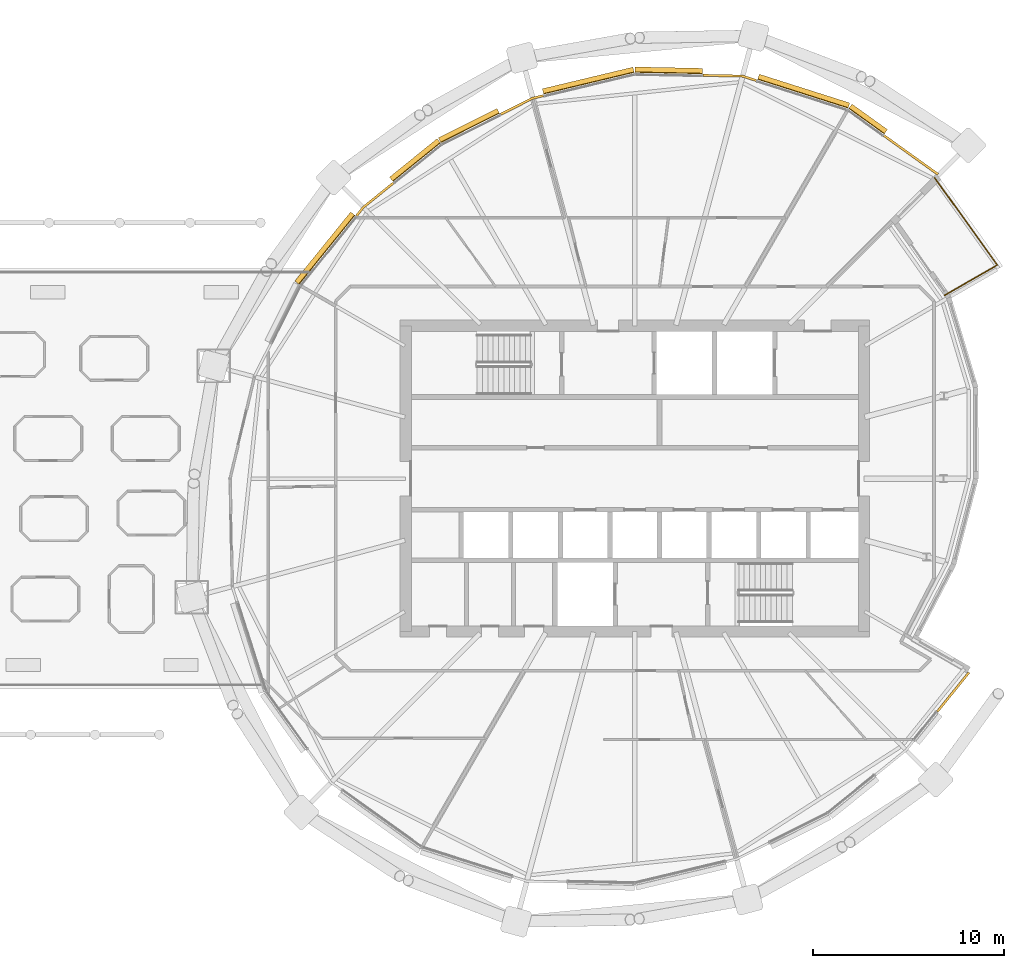
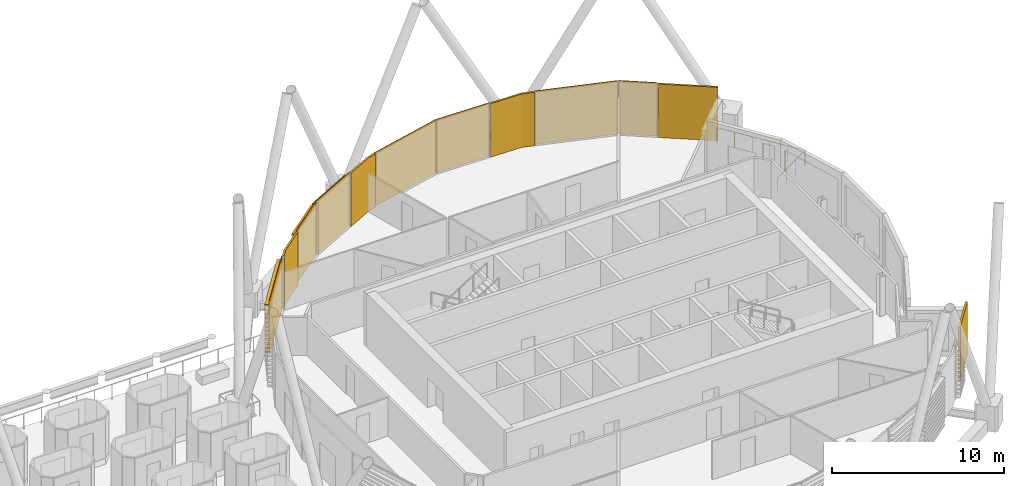
# One storey, part 37 of 38: 12 coverings, 1 railing.
"""IFC4 building model written with IfcOpenShell, lengths in metres."""

from ifc_helpers import new_model, si_unit, direction, frame, origin, origin_2d, place, context, subcontext, project, spatial, polyline, circle, outline, extrude, material, layer, layer_set, material_profile, profile_set, type_object, element, save


model = new_model("IFC4")

# Units and contexts
model_context = context("Model", 3, precision=1e-05, world=origin(), true_north=direction((0.0, 1.0)))
body_context = subcontext(model_context, "Body", "Model", "MODEL_VIEW")
ifc_project = project(units=[si_unit("LENGTHUNIT", "METRE"), si_unit("AREAUNIT", "SQUARE_METRE"), si_unit("VOLUMEUNIT", "CUBIC_METRE"), si_unit("PLANEANGLEUNIT", "RADIAN"), si_unit("MASSUNIT", "GRAM", prefix="KILO")], contexts=[model_context])

# Site, building, storey
site_placement = place(None, origin())
site = spatial("IfcSite", under=ifc_project, at=site_placement, CompositionType="ELEMENT")
building_placement = place(site_placement, origin())
building = spatial("IfcBuilding", under=site, at=building_placement, Name="Rimbun Link Towers", CompositionType="ELEMENT")
storey_placement = place(building_placement, frame((0.0, 0.0, 158.89990234375)))
storey = spatial("IfcBuildingStorey", under=building, at=storey_placement, Name="L38", CompositionType="ELEMENT", Elevation=158.89990234375)

# Railing
ifc_material_1 = material(Name="Stainless steel grade 316", Category="steel")
railing_type = type_object("IfcRailingType", Name="GUARD stainless rail and posts", PredefinedType="GUARDRAIL", material=ifc_material_1)
railing_placement = place(storey_placement, frame((47.97216796875, 9.596923828125, 0.0)))
element("IfcRailing", 1, at=railing_placement, inside=storey, type_object=railing_type, Name="GUARD", PredefinedType="GUARDRAIL", context=body_context, shape_type="SweptSolid", body=[
    extrude(circle(Radius=0.02392578125, at=origin_2d()), frame((0.0, 0.0, 1.076171875), z_axis=(0.866051307416, 0.49995513091, 0.0), x_axis=(-0.49995513091, 0.866051307416, 0.0)), (0.0, 0.0, 1.0), 3.178955078125),
    extrude(circle(Radius=0.02392578125, at=origin_2d()), frame((2.753173828125, 1.58935546875, 1.076171875), z_axis=(-0.582980892517, 0.812485863853, 0.0), x_axis=(-0.812485863853, -0.582980892517, 0.0)), (0.0, 0.0, 1.0), 5.614501953125),
    extrude(circle(Radius=0.02099609375, at=origin_2d()), origin(), (0.0, 0.0, 1.0), 1.052001953125),
    extrude(circle(Radius=0.02099609375, at=origin_2d()), frame((0.917724609375, 0.52978515625, 0.0)), (0.0, 0.0, 1.0), 1.052001953125),
    extrude(circle(Radius=0.02099609375, at=origin_2d()), frame((1.83544921875, 1.0595703125, 0.0)), (0.0, 0.0, 1.0), 1.052001953125),
    extrude(circle(Radius=0.02099609375, at=origin_2d()), frame((2.753173828125, 1.58935546875, 0.0)), (0.0, 0.0, 1.0), 1.052001953125),
    extrude(circle(Radius=0.02099609375, at=origin_2d()), frame((2.0986328125, 2.501708984375, 0.0)), (0.0, 0.0, 1.0), 1.052001953125),
    extrude(circle(Radius=0.02099609375, at=origin_2d()), frame((1.44384765625, 3.4140625, 0.0)), (0.0, 0.0, 1.0), 1.052001953125),
    extrude(circle(Radius=0.02099609375, at=origin_2d()), frame((0.789306640625, 4.326416015625, 0.0)), (0.0, 0.0, 1.0), 1.052001953125),
    extrude(circle(Radius=0.02099609375, at=origin_2d()), frame((0.134521484375, 5.23876953125, 0.0)), (0.0, 0.0, 1.0), 1.052001953125),
    extrude(circle(Radius=0.02099609375, at=origin_2d()), frame((-0.52001953125, 6.151123046875, 0.0)), (0.0, 0.0, 1.0), 1.052001953125),
])

# Coverings
ifc_material_2 = material(Name="Terracotta", Category="masonry")
ifc_layer = layer(ifc_material_2, 0.1201171875)
ifc_layer_set = layer_set([ifc_layer], Name="LINK PIER terracotta cladding 120")
covering_type_1 = type_object("IfcCoveringType", Name="LINK PIER terracotta cladding 120", PredefinedType="CLADDING", material=ifc_layer_set)
covering_1_placement = place(storey_placement, origin())
element("IfcCovering", 2, at=covering_1_placement, inside=storey, type_object=covering_type_1, Name="LINK PIER cladding", PredefinedType="CLADDING", context=body_context, shape_type="SweptSolid", body=[
    extrude(outline(polyline([(44.754638671875, 17.916748046875), (47.59033203125, 15.882080078125), (47.66015625, 15.9794921875), (44.82470703125, 18.01416015625), (44.754638671875, 17.916748046875)])), origin(), (0.0, 0.0, 1.0), 3.800048828125),
])
covering_2_placement = place(storey_placement, origin())
element("IfcCovering", 3, at=covering_2_placement, inside=storey, type_object=covering_type_1, Name="LINK PIER cladding", PredefinedType="CLADDING", context=body_context, shape_type="SweptSolid", body=[
    extrude(outline(polyline([(35.31103515625, 21.05712890625), (37.380615234375, 21.013671875), (38.114501953125, 20.7802734375), (38.150634765625, 20.89453125), (37.400390625, 21.13330078125), (35.3134765625, 21.17724609375), (35.31103515625, 21.05712890625)])), origin(), (0.0, 0.0, 1.0), 3.800048828125),
])
covering_3_placement = place(storey_placement, origin())
element("IfcCovering", 4, at=covering_3_placement, inside=storey, type_object=covering_type_1, Name="LINK PIER cladding", PredefinedType="CLADDING", context=body_context, shape_type="SweptSolid", body=[
    extrude(outline(polyline([(24.757568359375, 19.020263671875), (26.4287109375, 19.859619140625), (26.983154296875, 19.9921875), (26.955078125, 20.10888671875), (26.38720703125, 19.972900390625), (24.70361328125, 19.12744140625), (24.757568359375, 19.020263671875)])), origin(), (0.0, 0.0, 1.0), 3.800048828125),
])
covering_4_placement = place(storey_placement, origin())
element("IfcCovering", 5, at=covering_4_placement, inside=storey, type_object=covering_type_1, Name="LINK PIER cladding", PredefinedType="CLADDING", context=body_context, shape_type="SweptSolid", body=[
    extrude(outline(polyline([(17.2265625, 13.7216796875), (17.585205078125, 14.164794921875), (19.1552734375, 15.435791015625), (19.079833984375, 15.529052734375), (17.5, 14.25), (17.13330078125, 13.79736328125), (17.2265625, 13.7216796875)])), origin(), (0.0, 0.0, 1.0), 3.800048828125),
])
covering_5_placement = place(storey_placement, origin())
element("IfcCovering", 6, at=covering_5_placement, inside=storey, type_object=covering_type_1, Name="LINK PIER cladding", PredefinedType="CLADDING", context=body_context, shape_type="SweptSolid", body=[
    extrude(outline(polyline([(49.198486328125, -10.108154296875), (47.53759765625, -12.16015625), (47.630859375, -12.235595703125), (49.291748046875, -10.18359375), (49.198486328125, -10.108154296875)])), origin(), (0.0, 0.0, 1.0), 3.800048828125),
])
ifc_material_3 = material(Name="Terracotta", Category="masonry")
ifc_material_profile = material_profile(ifc_material_3, outline(polyline([(0.123046875, 0.0), (0.1630859375, 0.0), (0.1630859375, 0.10009765625), (0.423095703125, 0.10009765625), (0.423095703125, 0.219970703125), (0.1630859375, 0.219970703125), (0.1630859375, 0.39990234375), (0.423095703125, 0.39990234375), (0.423095703125, 0.52001953125), (0.1630859375, 0.52001953125), (0.1630859375, 0.699951171875), (0.423095703125, 0.699951171875), (0.423095703125, 0.820068359375), (0.1630859375, 0.820068359375), (0.1630859375, 1.0), (0.423095703125, 1.0), (0.423095703125, 1.1201171875), (0.1630859375, 1.1201171875), (0.1630859375, 1.300048828125), (0.423095703125, 1.300048828125), (0.423095703125, 1.419921875), (0.1630859375, 1.419921875), (0.1630859375, 1.60009765625), (0.423095703125, 1.60009765625), (0.423095703125, 1.719970703125), (0.1630859375, 1.719970703125), (0.1630859375, 1.89990234375), (0.423095703125, 1.89990234375), (0.423095703125, 2.02001953125), (0.1630859375, 2.02001953125), (0.1630859375, 2.199951171875), (0.423095703125, 2.199951171875), (0.423095703125, 2.320068359375), (0.1630859375, 2.320068359375), (0.1630859375, 2.5), (0.423095703125, 2.5), (0.423095703125, 2.6201171875), (0.1630859375, 2.6201171875), (0.1630859375, 2.800048828125), (0.423095703125, 2.800048828125), (0.423095703125, 2.919921875), (0.1630859375, 2.919921875), (0.1630859375, 3.10009765625), (0.423095703125, 3.10009765625), (0.423095703125, 3.219970703125), (0.1630859375, 3.219970703125), (0.1630859375, 3.39990234375), (0.423095703125, 3.39990234375), (0.423095703125, 3.52001953125), (0.1630859375, 3.52001953125), (0.1630859375, 3.800048828125), (0.123046875, 3.800048828125), (0.123046875, 0.0)])), Name="BAGUETTE 120X300")
ifc_profile_set = profile_set([ifc_material_profile], Name="Terracotta")
covering_type_2 = type_object("IfcCoveringType", Name="TERRACOTTA BAGUETTE 120X300 H3800", PredefinedType="CLADDING", material=ifc_profile_set)
covering_6_placement = place(storey_placement, frame((42.87353515625, 19.2666015625, 0.0), z_axis=(0.812475545308, -0.582995272945, 0.0), x_axis=(0.582995272945, 0.812475545308, 0.0)))
element("IfcCovering", 7, at=covering_6_placement, inside=storey, type_object=covering_type_2, Name="TERRACOTTA BAGUETTE", PredefinedType="CLADDING", context=body_context, shape_type="SweptSolid", body=[
    extrude(outline(polyline([(0.123046875, 0.0), (0.1630859375, 0.0), (0.1630859375, 0.10009765625), (0.423095703125, 0.10009765625), (0.423095703125, 0.219970703125), (0.1630859375, 0.219970703125), (0.1630859375, 0.39990234375), (0.423095703125, 0.39990234375), (0.423095703125, 0.52001953125), (0.1630859375, 0.52001953125), (0.1630859375, 0.699951171875), (0.423095703125, 0.699951171875), (0.423095703125, 0.820068359375), (0.1630859375, 0.820068359375), (0.1630859375, 1.0), (0.423095703125, 1.0), (0.423095703125, 1.1201171875), (0.1630859375, 1.1201171875), (0.1630859375, 1.300048828125), (0.423095703125, 1.300048828125), (0.423095703125, 1.419921875), (0.1630859375, 1.419921875), (0.1630859375, 1.60009765625), (0.423095703125, 1.60009765625), (0.423095703125, 1.719970703125), (0.1630859375, 1.719970703125), (0.1630859375, 1.89990234375), (0.423095703125, 1.89990234375), (0.423095703125, 2.02001953125), (0.1630859375, 2.02001953125), (0.1630859375, 2.199951171875), (0.423095703125, 2.199951171875), (0.423095703125, 2.320068359375), (0.1630859375, 2.320068359375), (0.1630859375, 2.5), (0.423095703125, 2.5), (0.423095703125, 2.6201171875), (0.1630859375, 2.6201171875), (0.1630859375, 2.800048828125), (0.423095703125, 2.800048828125), (0.423095703125, 2.919921875), (0.1630859375, 2.919921875), (0.1630859375, 3.10009765625), (0.423095703125, 3.10009765625), (0.423095703125, 3.219970703125), (0.1630859375, 3.219970703125), (0.1630859375, 3.39990234375), (0.423095703125, 3.39990234375), (0.423095703125, 3.52001953125), (0.1630859375, 3.52001953125), (0.1630859375, 3.800048828125), (0.123046875, 3.800048828125), (0.123046875, 0.0)])), origin(), (0.0, 0.0, 1.0), 2.28515625),
])
covering_7_placement = place(storey_placement, frame((38.14306640625, 20.771240234375, 0.0), z_axis=(0.952955487798, -0.303110274117, 0.0), x_axis=(0.303110274117, 0.952955487798, 0.0)))
element("IfcCovering", 8, at=covering_7_placement, inside=storey, type_object=covering_type_2, Name="TERRACOTTA BAGUETTE", PredefinedType="CLADDING", context=body_context, shape_type="SweptSolid", body=[
    extrude(outline(polyline([(0.123046875, 0.0), (0.1630859375, 0.0), (0.1630859375, 0.10009765625), (0.423095703125, 0.10009765625), (0.423095703125, 0.219970703125), (0.1630859375, 0.219970703125), (0.1630859375, 0.39990234375), (0.423095703125, 0.39990234375), (0.423095703125, 0.52001953125), (0.1630859375, 0.52001953125), (0.1630859375, 0.699951171875), (0.423095703125, 0.699951171875), (0.423095703125, 0.820068359375), (0.1630859375, 0.820068359375), (0.1630859375, 1.0), (0.423095703125, 1.0), (0.423095703125, 1.1201171875), (0.1630859375, 1.1201171875), (0.1630859375, 1.300048828125), (0.423095703125, 1.300048828125), (0.423095703125, 1.419921875), (0.1630859375, 1.419921875), (0.1630859375, 1.60009765625), (0.423095703125, 1.60009765625), (0.423095703125, 1.719970703125), (0.1630859375, 1.719970703125), (0.1630859375, 1.89990234375), (0.423095703125, 1.89990234375), (0.423095703125, 2.02001953125), (0.1630859375, 2.02001953125), (0.1630859375, 2.199951171875), (0.423095703125, 2.199951171875), (0.423095703125, 2.320068359375), (0.1630859375, 2.320068359375), (0.1630859375, 2.5), (0.423095703125, 2.5), (0.423095703125, 2.6201171875), (0.1630859375, 2.6201171875), (0.1630859375, 2.800048828125), (0.423095703125, 2.800048828125), (0.423095703125, 2.919921875), (0.1630859375, 2.919921875), (0.1630859375, 3.10009765625), (0.423095703125, 3.10009765625), (0.423095703125, 3.219970703125), (0.1630859375, 3.219970703125), (0.1630859375, 3.39990234375), (0.423095703125, 3.39990234375), (0.423095703125, 3.52001953125), (0.1630859375, 3.52001953125), (0.1630859375, 3.800048828125), (0.123046875, 3.800048828125), (0.123046875, 0.0)])), origin(), (0.0, 0.0, 1.0), 4.964111328125),
])
covering_8_placement = place(storey_placement, frame((31.75, 21.132080078125, 0.0), z_axis=(0.999779170788, -0.021014510677, 0.0), x_axis=(0.021014510677, 0.999779170788, 0.0)))
element("IfcCovering", 9, at=covering_8_placement, inside=storey, type_object=covering_type_2, Name="TERRACOTTA BAGUETTE", PredefinedType="CLADDING", context=body_context, shape_type="SweptSolid", body=[
    extrude(outline(polyline([(0.123046875, 0.0), (0.1630859375, 0.0), (0.1630859375, 0.10009765625), (0.423095703125, 0.10009765625), (0.423095703125, 0.219970703125), (0.1630859375, 0.219970703125), (0.1630859375, 0.39990234375), (0.423095703125, 0.39990234375), (0.423095703125, 0.52001953125), (0.1630859375, 0.52001953125), (0.1630859375, 0.699951171875), (0.423095703125, 0.699951171875), (0.423095703125, 0.820068359375), (0.1630859375, 0.820068359375), (0.1630859375, 1.0), (0.423095703125, 1.0), (0.423095703125, 1.1201171875), (0.1630859375, 1.1201171875), (0.1630859375, 1.300048828125), (0.423095703125, 1.300048828125), (0.423095703125, 1.419921875), (0.1630859375, 1.419921875), (0.1630859375, 1.60009765625), (0.423095703125, 1.60009765625), (0.423095703125, 1.719970703125), (0.1630859375, 1.719970703125), (0.1630859375, 1.89990234375), (0.423095703125, 1.89990234375), (0.423095703125, 2.02001953125), (0.1630859375, 2.02001953125), (0.1630859375, 2.199951171875), (0.423095703125, 2.199951171875), (0.423095703125, 2.320068359375), (0.1630859375, 2.320068359375), (0.1630859375, 2.5), (0.423095703125, 2.5), (0.423095703125, 2.6201171875), (0.1630859375, 2.6201171875), (0.1630859375, 2.800048828125), (0.423095703125, 2.800048828125), (0.423095703125, 2.919921875), (0.1630859375, 2.919921875), (0.1630859375, 3.10009765625), (0.423095703125, 3.10009765625), (0.423095703125, 3.219970703125), (0.1630859375, 3.219970703125), (0.1630859375, 3.39990234375), (0.423095703125, 3.39990234375), (0.423095703125, 3.52001953125), (0.1630859375, 3.52001953125), (0.1630859375, 3.800048828125), (0.123046875, 3.800048828125), (0.123046875, 0.0)])), origin(), (0.0, 0.0, 1.0), 3.53173828125),
])
covering_9_placement = place(storey_placement, frame((27.01220703125, 19.9990234375, 0.0), z_axis=(0.972573962612, 0.232593824615, 0.0), x_axis=(-0.232593824615, 0.972573962612, 0.0)))
element("IfcCovering", 10, at=covering_9_placement, inside=storey, type_object=covering_type_2, Name="TERRACOTTA BAGUETTE", PredefinedType="CLADDING", context=body_context, shape_type="SweptSolid", body=[
    extrude(outline(polyline([(0.123046875, 0.0), (0.1630859375, 0.0), (0.1630859375, 0.10009765625), (0.423095703125, 0.10009765625), (0.423095703125, 0.219970703125), (0.1630859375, 0.219970703125), (0.1630859375, 0.39990234375), (0.423095703125, 0.39990234375), (0.423095703125, 0.52001953125), (0.1630859375, 0.52001953125), (0.1630859375, 0.699951171875), (0.423095703125, 0.699951171875), (0.423095703125, 0.820068359375), (0.1630859375, 0.820068359375), (0.1630859375, 1.0), (0.423095703125, 1.0), (0.423095703125, 1.1201171875), (0.1630859375, 1.1201171875), (0.1630859375, 1.300048828125), (0.423095703125, 1.300048828125), (0.423095703125, 1.419921875), (0.1630859375, 1.419921875), (0.1630859375, 1.60009765625), (0.423095703125, 1.60009765625), (0.423095703125, 1.719970703125), (0.1630859375, 1.719970703125), (0.1630859375, 1.89990234375), (0.423095703125, 1.89990234375), (0.423095703125, 2.02001953125), (0.1630859375, 2.02001953125), (0.1630859375, 2.199951171875), (0.423095703125, 2.199951171875), (0.423095703125, 2.320068359375), (0.1630859375, 2.320068359375), (0.1630859375, 2.5), (0.423095703125, 2.5), (0.423095703125, 2.6201171875), (0.1630859375, 2.6201171875), (0.1630859375, 2.800048828125), (0.423095703125, 2.800048828125), (0.423095703125, 2.919921875), (0.1630859375, 2.919921875), (0.1630859375, 3.10009765625), (0.423095703125, 3.10009765625), (0.423095703125, 3.219970703125), (0.1630859375, 3.219970703125), (0.1630859375, 3.39990234375), (0.423095703125, 3.39990234375), (0.423095703125, 3.52001953125), (0.1630859375, 3.52001953125), (0.1630859375, 3.800048828125), (0.123046875, 3.800048828125), (0.123046875, 0.0)])), origin(), (0.0, 0.0, 1.0), 4.871337890625),
])
covering_10_placement = place(storey_placement, frame((21.665283203125, 17.46728515625, 0.0), z_axis=(0.893628650028, 0.448807125444, 0.0), x_axis=(-0.448807125444, 0.893628650028, 0.0)))
element("IfcCovering", 11, at=covering_10_placement, inside=storey, type_object=covering_type_2, Name="TERRACOTTA BAGUETTE", PredefinedType="CLADDING", context=body_context, shape_type="SweptSolid", body=[
    extrude(outline(polyline([(0.123046875, 0.0), (0.1630859375, 0.0), (0.1630859375, 0.10009765625), (0.423095703125, 0.10009765625), (0.423095703125, 0.219970703125), (0.1630859375, 0.219970703125), (0.1630859375, 0.39990234375), (0.423095703125, 0.39990234375), (0.423095703125, 0.52001953125), (0.1630859375, 0.52001953125), (0.1630859375, 0.699951171875), (0.423095703125, 0.699951171875), (0.423095703125, 0.820068359375), (0.1630859375, 0.820068359375), (0.1630859375, 1.0), (0.423095703125, 1.0), (0.423095703125, 1.1201171875), (0.1630859375, 1.1201171875), (0.1630859375, 1.300048828125), (0.423095703125, 1.300048828125), (0.423095703125, 1.419921875), (0.1630859375, 1.419921875), (0.1630859375, 1.60009765625), (0.423095703125, 1.60009765625), (0.423095703125, 1.719970703125), (0.1630859375, 1.719970703125), (0.1630859375, 1.89990234375), (0.423095703125, 1.89990234375), (0.423095703125, 2.02001953125), (0.1630859375, 2.02001953125), (0.1630859375, 2.199951171875), (0.423095703125, 2.199951171875), (0.423095703125, 2.320068359375), (0.1630859375, 2.320068359375), (0.1630859375, 2.5), (0.423095703125, 2.5), (0.423095703125, 2.6201171875), (0.1630859375, 2.6201171875), (0.1630859375, 2.800048828125), (0.423095703125, 2.800048828125), (0.423095703125, 2.919921875), (0.1630859375, 2.919921875), (0.1630859375, 3.10009765625), (0.423095703125, 3.10009765625), (0.423095703125, 3.219970703125), (0.1630859375, 3.219970703125), (0.1630859375, 3.39990234375), (0.423095703125, 3.39990234375), (0.423095703125, 3.52001953125), (0.1630859375, 3.52001953125), (0.1630859375, 3.800048828125), (0.123046875, 3.800048828125), (0.123046875, 0.0)])), origin(), (0.0, 0.0, 1.0), 3.430419921875),
])
covering_11_placement = place(storey_placement, frame((19.1787109375, 15.45458984375, 0.0), z_axis=(0.77728219118, 0.629152124112, 0.0), x_axis=(-0.629152124112, 0.77728219118, 0.0)))
element("IfcCovering", 12, at=covering_11_placement, inside=storey, type_object=covering_type_2, Name="TERRACOTTA BAGUETTE", PredefinedType="CLADDING", context=body_context, shape_type="SweptSolid", body=[
    extrude(outline(polyline([(0.123046875, 0.0), (0.1630859375, 0.0), (0.1630859375, 0.10009765625), (0.423095703125, 0.10009765625), (0.423095703125, 0.219970703125), (0.1630859375, 0.219970703125), (0.1630859375, 0.39990234375), (0.423095703125, 0.39990234375), (0.423095703125, 0.52001953125), (0.1630859375, 0.52001953125), (0.1630859375, 0.699951171875), (0.423095703125, 0.699951171875), (0.423095703125, 0.820068359375), (0.1630859375, 0.820068359375), (0.1630859375, 1.0), (0.423095703125, 1.0), (0.423095703125, 1.1201171875), (0.1630859375, 1.1201171875), (0.1630859375, 1.300048828125), (0.423095703125, 1.300048828125), (0.423095703125, 1.419921875), (0.1630859375, 1.419921875), (0.1630859375, 1.60009765625), (0.423095703125, 1.60009765625), (0.423095703125, 1.719970703125), (0.1630859375, 1.719970703125), (0.1630859375, 1.89990234375), (0.423095703125, 1.89990234375), (0.423095703125, 2.02001953125), (0.1630859375, 2.02001953125), (0.1630859375, 2.199951171875), (0.423095703125, 2.199951171875), (0.423095703125, 2.320068359375), (0.1630859375, 2.320068359375), (0.1630859375, 2.5), (0.423095703125, 2.5), (0.423095703125, 2.6201171875), (0.1630859375, 2.6201171875), (0.1630859375, 2.800048828125), (0.423095703125, 2.800048828125), (0.423095703125, 2.919921875), (0.1630859375, 2.919921875), (0.1630859375, 3.10009765625), (0.423095703125, 3.10009765625), (0.423095703125, 3.219970703125), (0.1630859375, 3.219970703125), (0.1630859375, 3.39990234375), (0.423095703125, 3.39990234375), (0.423095703125, 3.52001953125), (0.1630859375, 3.52001953125), (0.1630859375, 3.800048828125), (0.123046875, 3.800048828125), (0.123046875, 0.0)])), origin(), (0.0, 0.0, 1.0), 3.198974609375),
])
covering_12_placement = place(storey_placement, frame((14.28271484375, 10.084716796875, 0.0), z_axis=(0.629148376774, 0.777285224356, 0.0), x_axis=(-0.777285224356, 0.629148376774, 0.0)))
element("IfcCovering", 13, at=covering_12_placement, inside=storey, type_object=covering_type_2, Name="TERRACOTTA BAGUETTE", PredefinedType="CLADDING", context=body_context, shape_type="SweptSolid", body=[
    extrude(outline(polyline([(0.123046875, 0.0), (0.1630859375, 0.0), (0.1630859375, 0.10009765625), (0.423095703125, 0.10009765625), (0.423095703125, 0.219970703125), (0.1630859375, 0.219970703125), (0.1630859375, 0.39990234375), (0.423095703125, 0.39990234375), (0.423095703125, 0.52001953125), (0.1630859375, 0.52001953125), (0.1630859375, 0.699951171875), (0.423095703125, 0.699951171875), (0.423095703125, 0.820068359375), (0.1630859375, 0.820068359375), (0.1630859375, 1.0), (0.423095703125, 1.0), (0.423095703125, 1.1201171875), (0.1630859375, 1.1201171875), (0.1630859375, 1.300048828125), (0.423095703125, 1.300048828125), (0.423095703125, 1.419921875), (0.1630859375, 1.419921875), (0.1630859375, 1.60009765625), (0.423095703125, 1.60009765625), (0.423095703125, 1.719970703125), (0.1630859375, 1.719970703125), (0.1630859375, 1.89990234375), (0.423095703125, 1.89990234375), (0.423095703125, 2.02001953125), (0.1630859375, 2.02001953125), (0.1630859375, 2.199951171875), (0.423095703125, 2.199951171875), (0.423095703125, 2.320068359375), (0.1630859375, 2.320068359375), (0.1630859375, 2.5), (0.423095703125, 2.5), (0.423095703125, 2.6201171875), (0.1630859375, 2.6201171875), (0.1630859375, 2.800048828125), (0.423095703125, 2.800048828125), (0.423095703125, 2.919921875), (0.1630859375, 2.919921875), (0.1630859375, 3.10009765625), (0.423095703125, 3.10009765625), (0.423095703125, 3.219970703125), (0.1630859375, 3.219970703125), (0.1630859375, 3.39990234375), (0.423095703125, 3.39990234375), (0.423095703125, 3.52001953125), (0.1630859375, 3.52001953125), (0.1630859375, 3.800048828125), (0.123046875, 3.800048828125), (0.123046875, 0.0)])), origin(), (0.0, 0.0, 1.0), 4.649169921875),
])

save(model, "model.ifc")
